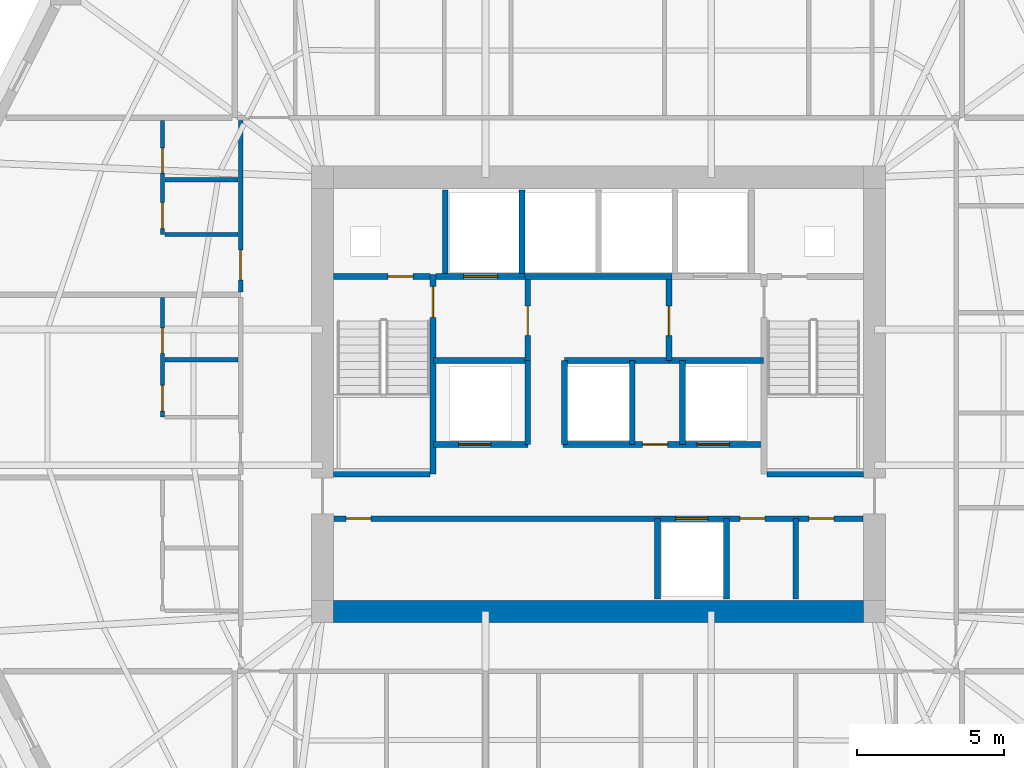
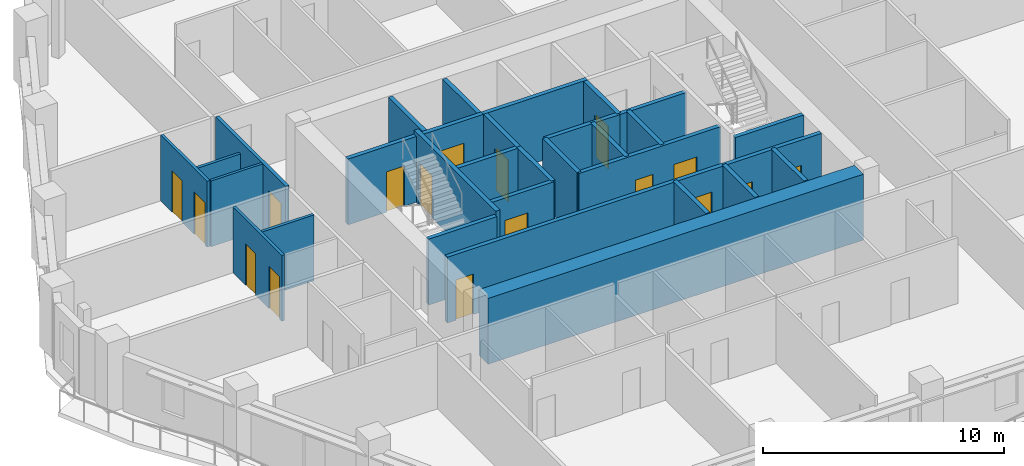
# One storey, part 5 of 12: 30 walls, 17 doors, 17 openings.
"""IFC4 building model written with IfcOpenShell, lengths in metres."""

from ifc_helpers import new_model, si_unit, direction, frame, frame_2d, origin, place, context, subcontext, project, spatial, rectangle, extrude, material, layer, layer_set, type_object, element, fill, save


model = new_model("IFC4")

# Units and contexts
model_context = context("Model", 3, precision=1e-05, world=origin(), true_north=direction((0.0, 1.0)))
body_context = subcontext(model_context, "Body", "Model", "MODEL_VIEW")
ifc_project = project(units=[si_unit("LENGTHUNIT", "METRE"), si_unit("AREAUNIT", "SQUARE_METRE"), si_unit("VOLUMEUNIT", "CUBIC_METRE"), si_unit("PLANEANGLEUNIT", "RADIAN"), si_unit("MASSUNIT", "GRAM", prefix="KILO")], contexts=[model_context])

# Site, building, storey
site_placement = place(None, origin())
site = spatial("IfcSite", under=ifc_project, at=site_placement, CompositionType="ELEMENT")
building_placement = place(site_placement, origin())
building = spatial("IfcBuilding", under=site, at=building_placement, Name="Cinnabar Lancet Tower", CompositionType="ELEMENT")
storey_placement = place(building_placement, frame((0.0, 0.0, 112.60009765625)))
storey = spatial("IfcBuildingStorey", under=building, at=storey_placement, Name="L29", CompositionType="ELEMENT", Elevation=112.60009765625)

# Wall, opening, door
ifc_material_1 = material(Name="Acoustic twin-stud gypsum partition", Category="gypsum")
ifc_layer_1 = layer(ifc_material_1, 0.159912109375)
ifc_layer_set_1 = layer_set([ifc_layer_1], Name="Acoustic twin-stud gypsum partition")
wall_type_1 = type_object("IfcWallType", Name="ARC-WL-CORR-160", PredefinedType="PARTITIONING", material=ifc_layer_set_1)
wall_1_placement = place(storey_placement, frame((20.25, 29.37890625, 0.0), z_axis=(0.0, 0.0, 1.0), x_axis=(0.0, 1.0, 0.0)))
wall_1 = element("IfcWall", 1, at=wall_1_placement, inside=storey, type_object=wall_type_1, Name="UW-L29-W03-COR", PredefinedType="PARTITIONING", context=body_context, shape_type="SweptSolid", body=[
    extrude(rectangle(XDim=5.826171875, YDim=0.159912109375, at=frame_2d((2.9130859375, 0.0))), origin(), (0.0, 0.0, 1.0), 3.33984375),
])
opening_1_placement = place(wall_1_placement, frame((0.39990234375, 0.0, 0.0)))
opening_1 = element("IfcOpeningElement", 2, at=opening_1_placement, cuts=wall_1, Name="Opening UD-01", PredefinedType="OPENING", context=body_context, shape_type="SweptSolid", body=[
    extrude(rectangle(XDim=1.02001953125, YDim=2.25, at=frame_2d((0.510009765625, 1.125))), frame((0.0, 0.08984375, 0.0), z_axis=(0.0, -1.0, 0.0), x_axis=(1.0, 0.0, 0.0)), (0.0, 0.0, 1.0), 0.179931640625),
])
ifc_material_2 = material(Name="Solid timber fire-rated apartment entrance door", Category="wood")
door_type_1 = type_object("IfcDoorType", Name="ARC-DR-UNIT", OperationType="NOTDEFINED", PredefinedType="DOOR", material=ifc_material_2)
door_1_placement = place(opening_1_placement, origin())
door_1 = element("IfcDoor", 3, at=door_1_placement, inside=storey, type_object=door_type_1, Name="DR-L29-W03-ENT", OperationType="SINGLE_SWING_RIGHT", OverallHeight=2.25, OverallWidth=1.02001953125, PredefinedType="DOOR", context=body_context, shape_type="SweptSolid", body=[
    extrude(rectangle(XDim=1.02001953125, YDim=2.25, at=frame_2d((0.510009765625, 1.125))), frame((0.0, 0.02490234375, 0.0), z_axis=(0.0, -1.0, 0.0), x_axis=(1.0, 0.0, 0.0)), (0.0, 0.0, 1.0), 0.050048828125),
])
fill(opening_1, door_1)

# Walls
ifc_material_3 = material(Name="Autoclaved aerated concrete blockwork", Category="masonry")
ifc_layer_2 = layer(ifc_material_3, 0.199951171875)
ifc_layer_set_2 = layer_set([ifc_layer_2], Name="Autoclaved aerated concrete blockwork")
wall_type_2 = type_object("IfcWallType", Name="ARC-WL-SHAFT-200", PredefinedType="PLUMBINGWALL", material=ifc_layer_set_2)
for number, where, z_axis, x_axis, name in (
    (4, (23.405029296875, 23.199951171875, 0.0), (0.0, 0.0, 1.0), (1.0, 0.0, 0.0), "CW-ST1S-L29"),
    (5, (38.125, 23.199951171875, 0.0), (0.0, 0.0, 1.0), (1.0, 0.0, 0.0), "CW-ST2S-L29"),
):
    element("IfcWall", number, at=place(storey_placement, frame(where, z_axis=z_axis, x_axis=x_axis)), inside=storey, type_object=wall_type_2, Name=name, PredefinedType="PLUMBINGWALL", context=body_context, shape_type="SweptSolid", body=[
        extrude(rectangle(XDim=3.27001953125, YDim=0.199951171875, at=frame_2d((1.635009765625, 0.0))), origin(), (0.0, 0.0, 1.0), 3.33984375),
    ])

# Wall, opening, door
wall_2_placement = place(storey_placement, frame((23.405029296875, 29.89990234375, 0.0), z_axis=(0.0, 0.0, 1.0), x_axis=(1.0, 0.0, 0.0)))
wall_2 = element("IfcWall", 6, at=wall_2_placement, inside=storey, type_object=wall_type_2, Name="CW-NSH-W-L29", PredefinedType="PLUMBINGWALL", context=body_context, shape_type="SweptSolid", body=[
    extrude(rectangle(XDim=3.27001953125, YDim=0.199951171875, at=frame_2d((1.635009765625, 0.0))), origin(), (0.0, 0.0, 1.0), 3.33984375),
])
opening_2_placement = place(wall_2_placement, frame((1.85009765625, 0.0, 0.0)))
opening_2 = element("IfcOpeningElement", 7, at=opening_2_placement, cuts=wall_2, Name="Opening PD-02", PredefinedType="OPENING", context=body_context, shape_type="SweptSolid", body=[
    extrude(rectangle(XDim=0.85009765625, YDim=2.050048828125, at=frame_2d((0.425048828125, 1.02490234375))), frame((0.0, 0.10986328125, 0.0), z_axis=(0.0, -1.0, 0.0), x_axis=(1.0, 0.0, 0.0)), (0.0, 0.0, 1.0), 0.219970703125),
])
ifc_material_4 = material(Name="Fire-rated steel riser access door", Category="steel")
door_type_2 = type_object("IfcDoorType", Name="ARC-DR-RISER", OperationType="NOTDEFINED", PredefinedType="DOOR", material=ifc_material_4)
door_2_placement = place(opening_2_placement, origin())
door_2 = element("IfcDoor", 8, at=door_2_placement, inside=storey, type_object=door_type_2, Name="L29 West Riser Access Door", OperationType="SINGLE_SWING_LEFT", OverallHeight=2.050048828125, OverallWidth=0.85009765625, PredefinedType="DOOR", context=body_context, shape_type="SweptSolid", body=[
    extrude(rectangle(XDim=0.85009765625, YDim=2.050048828125, at=frame_2d((0.425048828125, 1.02490234375))), frame((0.0, 0.02490234375, 0.0), z_axis=(0.0, -1.0, 0.0), x_axis=(1.0, 0.0, 0.0)), (0.0, 0.0, 1.0), 0.050048828125),
])
fill(opening_2, door_2)

wall_3_placement = place(storey_placement, frame((26.885009765625, 29.89990234375, 0.0), z_axis=(0.0, 0.0, 1.0), x_axis=(1.0, 0.0, 0.0)))
wall_3 = element("IfcWall", 9, at=wall_3_placement, inside=storey, type_object=wall_type_2, Name="CW-FL1-L29", PredefinedType="PLUMBINGWALL", context=body_context, shape_type="SweptSolid", body=[
    extrude(rectangle(XDim=3.014892578125, YDim=0.199951171875, at=frame_2d((1.50732421875, 0.0))), origin(), (0.0, 0.0, 1.0), 3.33984375),
])
opening_3_placement = place(wall_3_placement, frame((0.93994140625, 0.0, 0.0)))
opening_3 = element("IfcOpeningElement", 10, at=opening_3_placement, cuts=wall_3, Name="Opening LD-02", PredefinedType="OPENING", context=body_context, shape_type="SweptSolid", body=[
    extrude(rectangle(XDim=1.14990234375, YDim=2.199951171875, at=frame_2d((0.574951171875, 1.10009765625))), frame((0.0, 0.10986328125, 0.0), z_axis=(0.0, -1.0, 0.0), x_axis=(1.0, 0.0, 0.0)), (0.0, 0.0, 1.0), 0.219970703125),
])
ifc_material_5 = material(Name="Fire-rated stainless steel firefighting lift landing door", Category="steel")
door_type_3 = type_object("IfcDoorType", Name="ARC-DR-LD-FIRE", OperationType="NOTDEFINED", PredefinedType="DOOR", material=ifc_material_5)
door_3_placement = place(opening_3_placement, origin())
door_3 = element("IfcDoor", 11, at=door_3_placement, inside=storey, type_object=door_type_3, Name="L29 Firefighting Lift FL-1 Landing Door", OperationType="DOUBLE_DOOR_SLIDING", OverallHeight=2.199951171875, OverallWidth=1.14990234375, PredefinedType="DOOR", context=body_context, shape_type="SweptSolid", body=[
    extrude(rectangle(XDim=1.14990234375, YDim=2.199951171875, at=frame_2d((0.574951171875, 1.10009765625))), frame((0.0, 0.02490234375, 0.0), z_axis=(0.0, -1.0, 0.0), x_axis=(1.0, 0.0, 0.0)), (0.0, 0.0, 1.0), 0.050048828125),
])
fill(opening_3, door_3)

# Walls
wall_4_placement = place(storey_placement, frame((29.89990234375, 29.89990234375, 0.0), z_axis=(0.0, 0.0, 1.0), x_axis=(1.0, 0.0, 0.0)))
element("IfcWall", 12, at=wall_4_placement, inside=storey, type_object=wall_type_2, Name="CW-PL78-L29", PredefinedType="PLUMBINGWALL", context=body_context, shape_type="SweptSolid", body=[
    extrude(rectangle(XDim=5.0, YDim=0.199951171875, at=frame_2d((2.5, 0.0))), origin(), (0.0, 0.0, 1.0), 3.33984375),
])
for number, where, z_axis, x_axis, name in (
    (13, (27.199951171875, 30.0, 0.0), (0.0, 0.0, 1.0), (0.0, 1.0, 0.0), "CW-NSH-D1-L29"),
    (14, (29.800048828125, 30.0, 0.0), (0.0, 0.0, 1.0), (0.0, 1.0, 0.0), "CW-NSH-D2-L29"),
):
    element("IfcWall", number, at=place(storey_placement, frame(where, z_axis=z_axis, x_axis=x_axis)), inside=storey, type_object=wall_type_2, Name=name, PredefinedType="PLUMBINGWALL", context=body_context, shape_type="SweptSolid", body=[
        extrude(rectangle(XDim=2.85009765625, YDim=0.199951171875, at=frame_2d((1.425048828125, 0.0))), origin(), (0.0, 0.0, 1.0), 3.33984375),
    ])

# Wall, opening, door
wall_5_placement = place(storey_placement, frame((30.0, 27.050048828125, 0.0), z_axis=(0.0, 0.0, 1.0), x_axis=(0.0, 1.0, 0.0)))
wall_5 = element("IfcWall", 15, at=wall_5_placement, inside=storey, type_object=wall_type_2, Name="CW-FF1E-L29", PredefinedType="PLUMBINGWALL", context=body_context, shape_type="SweptSolid", body=[
    extrude(rectangle(XDim=2.75, YDim=0.199951171875, at=frame_2d((1.375, 0.0))), origin(), (0.0, 0.0, 1.0), 3.33984375),
])
opening_4_placement = place(wall_5_placement, frame((0.85009765625, 0.0, 0.0)))
opening_4 = element("IfcOpeningElement", 16, at=opening_4_placement, cuts=wall_5, Name="Opening FD-01", PredefinedType="OPENING", context=body_context, shape_type="SweptSolid", body=[
    extrude(rectangle(XDim=1.0, YDim=2.14990234375, at=frame_2d((0.5, 1.074951171875))), frame((0.0, 0.10986328125, 0.0), z_axis=(0.0, -1.0, 0.0), x_axis=(1.0, 0.0, 0.0)), (0.0, 0.0, 1.0), 0.219970703125),
])
ifc_material_6 = material(Name="Fire-rated timber-core lobby door", Category="wood")
door_type_4 = type_object("IfcDoorType", Name="ARC-DR-FFAL", OperationType="NOTDEFINED", PredefinedType="DOOR", material=ifc_material_6)
door_4_placement = place(opening_4_placement, origin())
door_4 = element("IfcDoor", 17, at=door_4_placement, inside=storey, type_object=door_type_4, Name="L29 FFAL-1 Lobby Fire Door", OperationType="SINGLE_SWING_RIGHT", OverallHeight=2.14990234375, OverallWidth=1.0, PredefinedType="DOOR", context=body_context, shape_type="SweptSolid", body=[
    extrude(rectangle(XDim=1.0, YDim=2.14990234375, at=frame_2d((0.5, 1.074951171875))), frame((0.0, 0.02490234375, 0.0), z_axis=(0.0, -1.0, 0.0), x_axis=(1.0, 0.0, 0.0)), (0.0, 0.0, 1.0), 0.050048828125),
])
fill(opening_4, door_4)

# Wall
wall_6_placement = place(storey_placement, frame((26.800048828125, 27.050048828125, 0.0), z_axis=(0.0, 0.0, 1.0), x_axis=(1.0, 0.0, 0.0)))
element("IfcWall", 18, at=wall_6_placement, inside=storey, type_object=wall_type_2, Name="CW-FF1S-L29", PredefinedType="PLUMBINGWALL", context=body_context, shape_type="SweptSolid", body=[
    extrude(rectangle(XDim=3.199951171875, YDim=0.199951171875, at=frame_2d((1.60009765625, 0.0))), origin(), (0.0, 0.0, 1.0), 3.33984375),
])

# Wall, opening, door
wall_7_placement = place(storey_placement, frame((34.800048828125, 27.050048828125, 0.0), z_axis=(0.0, 0.0, 1.0), x_axis=(0.0, 1.0, 0.0)))
wall_7 = element("IfcWall", 19, at=wall_7_placement, inside=storey, type_object=wall_type_2, Name="CW-FF2W-L29", PredefinedType="PLUMBINGWALL", context=body_context, shape_type="SweptSolid", body=[
    extrude(rectangle(XDim=2.75, YDim=0.199951171875, at=frame_2d((1.375, 0.0))), origin(), (0.0, 0.0, 1.0), 3.33984375),
])
opening_5_placement = place(wall_7_placement, frame((0.85009765625, 0.0, 0.0)))
opening_5 = element("IfcOpeningElement", 20, at=opening_5_placement, cuts=wall_7, Name="Opening FD-01", PredefinedType="OPENING", context=body_context, shape_type="SweptSolid", body=[
    extrude(rectangle(XDim=1.0, YDim=2.14990234375, at=frame_2d((0.5, 1.074951171875))), frame((0.0, 0.10986328125, 0.0), z_axis=(0.0, -1.0, 0.0), x_axis=(1.0, 0.0, 0.0)), (0.0, 0.0, 1.0), 0.219970703125),
])
door_5_placement = place(opening_5_placement, origin())
door_5 = element("IfcDoor", 21, at=door_5_placement, inside=storey, type_object=door_type_4, Name="L29 FFAL-2 Lobby Fire Door", OperationType="SINGLE_SWING_LEFT", OverallHeight=2.14990234375, OverallWidth=1.0, PredefinedType="DOOR", context=body_context, shape_type="SweptSolid", body=[
    extrude(rectangle(XDim=1.0, YDim=2.14990234375, at=frame_2d((0.5, 1.074951171875))), frame((0.0, 0.02490234375, 0.0), z_axis=(0.0, -1.0, 0.0), x_axis=(1.0, 0.0, 0.0)), (0.0, 0.0, 1.0), 0.050048828125),
])
fill(opening_5, door_5)

# Wall
wall_8_placement = place(storey_placement, frame((34.800048828125, 27.050048828125, 0.0), z_axis=(0.0, 0.0, 1.0), x_axis=(1.0, 0.0, 0.0)))
element("IfcWall", 22, at=wall_8_placement, inside=storey, type_object=wall_type_2, Name="CW-FF2S-L29", PredefinedType="PLUMBINGWALL", context=body_context, shape_type="SweptSolid", body=[
    extrude(rectangle(XDim=3.199951171875, YDim=0.199951171875, at=frame_2d((1.60009765625, 0.0))), origin(), (0.0, 0.0, 1.0), 3.33984375),
])

# Wall, opening, door
wall_9_placement = place(storey_placement, frame((26.800048828125, 24.199951171875, 0.0), z_axis=(0.0, 0.0, 1.0), x_axis=(1.0, 0.0, 0.0)))
wall_9 = element("IfcWall", 23, at=wall_9_placement, inside=storey, type_object=wall_type_2, Name="CW-PL5S-L29", PredefinedType="PLUMBINGWALL", context=body_context, shape_type="SweptSolid", body=[
    extrude(rectangle(XDim=3.199951171875, YDim=0.199951171875, at=frame_2d((1.60009765625, 0.0))), origin(), (0.0, 0.0, 1.0), 3.33984375),
])
opening_6_placement = place(wall_9_placement, frame((0.85009765625, 0.0, 0.0)))
opening_6 = element("IfcOpeningElement", 24, at=opening_6_placement, cuts=wall_9, Name="Opening LD-01", PredefinedType="OPENING", context=body_context, shape_type="SweptSolid", body=[
    extrude(rectangle(XDim=1.10009765625, YDim=2.199951171875, at=frame_2d((0.550048828125, 1.10009765625))), frame((0.0, 0.10986328125, 0.0), z_axis=(0.0, -1.0, 0.0), x_axis=(1.0, 0.0, 0.0)), (0.0, 0.0, 1.0), 0.219970703125),
])
ifc_material_7 = material(Name="Brushed stainless steel sliding lift door", Category="steel")
door_type_5 = type_object("IfcDoorType", Name="ARC-DR-LD-PASS", OperationType="NOTDEFINED", PredefinedType="DOOR", material=ifc_material_7)
door_6_placement = place(opening_6_placement, origin())
door_6 = element("IfcDoor", 25, at=door_6_placement, inside=storey, type_object=door_type_5, Name="L29 Lift PL-5 Landing Door", OperationType="DOUBLE_DOOR_SLIDING", OverallHeight=2.199951171875, OverallWidth=1.10009765625, PredefinedType="DOOR", context=body_context, shape_type="SweptSolid", body=[
    extrude(rectangle(XDim=1.10009765625, YDim=2.199951171875, at=frame_2d((0.550048828125, 1.10009765625))), frame((0.0, 0.02490234375, 0.0), z_axis=(0.0, -1.0, 0.0), x_axis=(1.0, 0.0, 0.0)), (0.0, 0.0, 1.0), 0.050048828125),
])
fill(opening_6, door_6)

# Wall
wall_10_placement = place(storey_placement, frame((30.0, 24.199951171875, 0.0), z_axis=(0.0, 0.0, 1.0), x_axis=(0.0, 1.0, 0.0)))
element("IfcWall", 26, at=wall_10_placement, inside=storey, type_object=wall_type_2, Name="CW-PL5E-L29", PredefinedType="PLUMBINGWALL", context=body_context, shape_type="SweptSolid", body=[
    extrude(rectangle(XDim=2.85009765625, YDim=0.199951171875, at=frame_2d((1.425048828125, 0.0))), origin(), (0.0, 0.0, 1.0), 3.33984375),
])

# Wall, openings, doors
wall_11_placement = place(storey_placement, frame((31.199951171875, 24.199951171875, 0.0), z_axis=(0.0, 0.0, 1.0), x_axis=(1.0, 0.0, 0.0)))
wall_11 = element("IfcWall", 27, at=wall_11_placement, inside=storey, type_object=wall_type_2, Name="CW-PL96S-L29", PredefinedType="PLUMBINGWALL", context=body_context, shape_type="SweptSolid", body=[
    extrude(rectangle(XDim=6.800048828125, YDim=0.199951171875, at=frame_2d((3.39990234375, 0.0))), origin(), (0.0, 0.0, 1.0), 3.33984375),
])
opening_7_placement = place(wall_11_placement, frame((2.699951171875, 0.0, 0.0)))
opening_7 = element("IfcOpeningElement", 28, at=opening_7_placement, cuts=wall_11, Name="Opening PD-02", PredefinedType="OPENING", context=body_context, shape_type="SweptSolid", body=[
    extrude(rectangle(XDim=0.85009765625, YDim=2.050048828125, at=frame_2d((0.425048828125, 1.02490234375))), frame((0.0, 0.10986328125, 0.0), z_axis=(0.0, -1.0, 0.0), x_axis=(1.0, 0.0, 0.0)), (0.0, 0.0, 1.0), 0.219970703125),
])
opening_8_placement = place(wall_11_placement, frame((4.550048828125, 0.0, 0.0)))
opening_8 = element("IfcOpeningElement", 29, at=opening_8_placement, cuts=wall_11, Name="Opening LD-01", PredefinedType="OPENING", context=body_context, shape_type="SweptSolid", body=[
    extrude(rectangle(XDim=1.10009765625, YDim=2.199951171875, at=frame_2d((0.550048828125, 1.10009765625))), frame((0.0, 0.10986328125, 0.0), z_axis=(0.0, -1.0, 0.0), x_axis=(1.0, 0.0, 0.0)), (0.0, 0.0, 1.0), 0.219970703125),
])
door_7_placement = place(opening_8_placement, origin())
door_7 = element("IfcDoor", 30, at=door_7_placement, inside=storey, type_object=door_type_5, Name="L29 Lift PL-6 Landing Door", OperationType="DOUBLE_DOOR_SLIDING", OverallHeight=2.199951171875, OverallWidth=1.10009765625, PredefinedType="DOOR", context=body_context, shape_type="SweptSolid", body=[
    extrude(rectangle(XDim=1.10009765625, YDim=2.199951171875, at=frame_2d((0.550048828125, 1.10009765625))), frame((0.0, 0.02490234375, 0.0), z_axis=(0.0, -1.0, 0.0), x_axis=(1.0, 0.0, 0.0)), (0.0, 0.0, 1.0), 0.050048828125),
])
fill(opening_8, door_7)
door_8_placement = place(opening_7_placement, origin())
door_8 = element("IfcDoor", 31, at=door_8_placement, inside=storey, type_object=door_type_2, Name="L29 BMS Closet Door", OperationType="SINGLE_SWING_LEFT", OverallHeight=2.050048828125, OverallWidth=0.85009765625, PredefinedType="DOOR", context=body_context, shape_type="SweptSolid", body=[
    extrude(rectangle(XDim=0.85009765625, YDim=2.050048828125, at=frame_2d((0.425048828125, 1.02490234375))), frame((0.0, 0.02490234375, 0.0), z_axis=(0.0, -1.0, 0.0), x_axis=(1.0, 0.0, 0.0)), (0.0, 0.0, 1.0), 0.050048828125),
])
fill(opening_7, door_8)

# Walls
for number, where, z_axis, x_axis, name in (
    (32, (31.25, 24.199951171875, 0.0), (0.0, 0.0, 1.0), (0.0, 1.0, 0.0), "CW-PL9W-L29"),
    (33, (33.550048828125, 24.199951171875, 0.0), (0.0, 0.0, 1.0), (0.0, 1.0, 0.0), "CW-PL9E-L29"),
    (34, (35.25, 24.199951171875, 0.0), (0.0, 0.0, 1.0), (0.0, 1.0, 0.0), "CW-PL6W-L29"),
):
    element("IfcWall", number, at=place(storey_placement, frame(where, z_axis=z_axis, x_axis=x_axis)), inside=storey, type_object=wall_type_2, Name=name, PredefinedType="PLUMBINGWALL", context=body_context, shape_type="SweptSolid", body=[
        extrude(rectangle(XDim=2.85009765625, YDim=0.199951171875, at=frame_2d((1.425048828125, 0.0))), origin(), (0.0, 0.0, 1.0), 3.33984375),
    ])
wall_12_placement = place(storey_placement, frame((31.25, 27.050048828125, 0.0), z_axis=(0.0, 0.0, 1.0), x_axis=(1.0, 0.0, 0.0)))
element("IfcWall", 35, at=wall_12_placement, inside=storey, type_object=wall_type_2, Name="CW-PL96N-L29", PredefinedType="PLUMBINGWALL", context=body_context, shape_type="SweptSolid", body=[
    extrude(rectangle(XDim=3.550048828125, YDim=0.199951171875, at=frame_2d((1.77490234375, 0.0))), origin(), (0.0, 0.0, 1.0), 3.33984375),
])

# Wall, openings, doors
wall_13_placement = place(storey_placement, frame((23.419921875, 21.679931640625, 0.0), z_axis=(0.0, 0.0, 1.0), x_axis=(1.0, 0.0, 0.0)))
wall_13 = element("IfcWall", 36, at=wall_13_placement, inside=storey, type_object=wall_type_2, Name="CW-SBANDN-L29", PredefinedType="PLUMBINGWALL", context=body_context, shape_type="SweptSolid", body=[
    extrude(rectangle(XDim=17.9599609375, YDim=0.199951171875, at=frame_2d((8.97998046875, 0.0))), origin(), (0.0, 0.0, 1.0), 3.33984375),
])
opening_9_placement = place(wall_13_placement, frame((11.60009765625, 0.0, 0.0)))
opening_9 = element("IfcOpeningElement", 37, at=opening_9_placement, cuts=wall_13, Name="Opening LD-01", PredefinedType="OPENING", context=body_context, shape_type="SweptSolid", body=[
    extrude(rectangle(XDim=1.10009765625, YDim=2.199951171875, at=frame_2d((0.550048828125, 1.10009765625))), frame((0.0, 0.10986328125, 0.0), z_axis=(0.0, -1.0, 0.0), x_axis=(1.0, 0.0, 0.0)), (0.0, 0.0, 1.0), 0.219970703125),
])
opening_10_placement = place(wall_13_placement, frame((0.409912109375, 0.0, 0.0)))
opening_10 = element("IfcOpeningElement", 38, at=opening_10_placement, cuts=wall_13, Name="Opening PD-02", PredefinedType="OPENING", context=body_context, shape_type="SweptSolid", body=[
    extrude(rectangle(XDim=0.85009765625, YDim=2.050048828125, at=frame_2d((0.425048828125, 1.02490234375))), frame((0.0, 0.10986328125, 0.0), z_axis=(0.0, -1.0, 0.0), x_axis=(1.0, 0.0, 0.0)), (0.0, 0.0, 1.0), 0.219970703125),
])
opening_11_placement = place(wall_13_placement, frame((13.780029296875, 0.0, 0.0)))
opening_11 = element("IfcOpeningElement", 39, at=opening_11_placement, cuts=wall_13, Name="Opening PD-02", PredefinedType="OPENING", context=body_context, shape_type="SweptSolid", body=[
    extrude(rectangle(XDim=0.85009765625, YDim=2.050048828125, at=frame_2d((0.425048828125, 1.02490234375))), frame((0.0, 0.10986328125, 0.0), z_axis=(0.0, -1.0, 0.0), x_axis=(1.0, 0.0, 0.0)), (0.0, 0.0, 1.0), 0.219970703125),
])
opening_12_placement = place(wall_13_placement, frame((16.1298828125, 0.0, 0.0)))
opening_12 = element("IfcOpeningElement", 40, at=opening_12_placement, cuts=wall_13, Name="Opening PD-02", PredefinedType="OPENING", context=body_context, shape_type="SweptSolid", body=[
    extrude(rectangle(XDim=0.85009765625, YDim=2.050048828125, at=frame_2d((0.425048828125, 1.02490234375))), frame((0.0, 0.10986328125, 0.0), z_axis=(0.0, -1.0, 0.0), x_axis=(1.0, 0.0, 0.0)), (0.0, 0.0, 1.0), 0.219970703125),
])
door_9_placement = place(opening_9_placement, origin())
door_9 = element("IfcDoor", 41, at=door_9_placement, inside=storey, type_object=door_type_5, Name="L29 Lift PL-4 Landing Door", OperationType="DOUBLE_DOOR_SLIDING", OverallHeight=2.199951171875, OverallWidth=1.10009765625, PredefinedType="DOOR", context=body_context, shape_type="SweptSolid", body=[
    extrude(rectangle(XDim=1.10009765625, YDim=2.199951171875, at=frame_2d((0.550048828125, 1.10009765625))), frame((0.0, 0.02490234375, 0.0), z_axis=(0.0, -1.0, 0.0), x_axis=(1.0, 0.0, 0.0)), (0.0, 0.0, 1.0), 0.050048828125),
])
fill(opening_9, door_9)
door_10_placement = place(opening_10_placement, origin())
door_10 = element("IfcDoor", 42, at=door_10_placement, inside=storey, type_object=door_type_2, Name="DR-L29-MREC1", OperationType="SINGLE_SWING_LEFT", OverallHeight=2.050048828125, OverallWidth=0.85009765625, PredefinedType="DOOR", context=body_context, shape_type="SweptSolid", body=[
    extrude(rectangle(XDim=0.85009765625, YDim=2.050048828125, at=frame_2d((0.425048828125, 1.02490234375))), frame((0.0, 0.02490234375, 0.0), z_axis=(0.0, -1.0, 0.0), x_axis=(1.0, 0.0, 0.0)), (0.0, 0.0, 1.0), 0.050048828125),
])
fill(opening_10, door_10)
door_11_placement = place(opening_11_placement, origin())
door_11 = element("IfcDoor", 43, at=door_11_placement, inside=storey, type_object=door_type_2, Name="DR-L29-MREC2", OperationType="SINGLE_SWING_RIGHT", OverallHeight=2.050048828125, OverallWidth=0.85009765625, PredefinedType="DOOR", context=body_context, shape_type="SweptSolid", body=[
    extrude(rectangle(XDim=0.85009765625, YDim=2.050048828125, at=frame_2d((0.425048828125, 1.02490234375))), frame((0.0, 0.02490234375, 0.0), z_axis=(0.0, -1.0, 0.0), x_axis=(1.0, 0.0, 0.0)), (0.0, 0.0, 1.0), 0.050048828125),
])
fill(opening_11, door_11)
door_12_placement = place(opening_12_placement, origin())
door_12 = element("IfcDoor", 44, at=door_12_placement, inside=storey, type_object=door_type_2, Name="DR-L29-MREC3", OperationType="SINGLE_SWING_LEFT", OverallHeight=2.050048828125, OverallWidth=0.85009765625, PredefinedType="DOOR", context=body_context, shape_type="SweptSolid", body=[
    extrude(rectangle(XDim=0.85009765625, YDim=2.050048828125, at=frame_2d((0.425048828125, 1.02490234375))), frame((0.0, 0.02490234375, 0.0), z_axis=(0.0, -1.0, 0.0), x_axis=(1.0, 0.0, 0.0)), (0.0, 0.0, 1.0), 0.050048828125),
])
fill(opening_12, door_12)

# Walls
for number, where, z_axis, x_axis, name in (
    (45, (34.39990234375, 18.949951171875, 0.0), (0.0, 0.0, 1.0), (0.0, 1.0, 0.0), "CW-SB-3440-L29"),
    (46, (36.75, 18.949951171875, 0.0), (0.0, 0.0, 1.0), (0.0, 1.0, 0.0), "CW-SB-3675-L29"),
    (47, (39.10009765625, 18.949951171875, 0.0), (0.0, 0.0, 1.0), (0.0, 1.0, 0.0), "CW-SB-3910-L29"),
):
    element("IfcWall", number, at=place(storey_placement, frame(where, z_axis=z_axis, x_axis=x_axis)), inside=storey, type_object=wall_type_2, Name=name, PredefinedType="PLUMBINGWALL", context=body_context, shape_type="SweptSolid", body=[
        extrude(rectangle(XDim=2.72998046875, YDim=0.199951171875, at=frame_2d((1.364990234375, 0.0))), origin(), (0.0, 0.0, 1.0), 3.33984375),
    ])
ifc_material_8 = material(Name="Gypsum plasterboard stud partition", Category="gypsum")
ifc_layer_3 = layer(ifc_material_8, 0.125)
ifc_layer_set_3 = layer_set([ifc_layer_3], Name="Gypsum plasterboard stud partition")
wall_type_3 = type_object("IfcWallType", Name="ARC-WL-UNIT-125", PredefinedType="PARTITIONING", material=ifc_layer_set_3)
wall_14_placement = place(storey_placement, frame((17.68505859375, 31.333984375, 0.0), z_axis=(0.0, 0.0, 1.0), x_axis=(1.0, 0.0, 0.0)))
element("IfcWall", 48, at=wall_14_placement, inside=storey, type_object=wall_type_3, Name="UW-L29-W03-FOYN", PredefinedType="PARTITIONING", context=body_context, shape_type="SweptSolid", body=[
    extrude(rectangle(XDim=2.47998046875, YDim=0.125, at=frame_2d((1.239990234375, 0.0))), origin(), (0.0, 0.0, 1.0), 3.33984375),
])

# Wall, openings, doors
ifc_material_9 = material(Name="Moisture-resistant cement-board plumbing wall", Category="masonry")
ifc_layer_4 = layer(ifc_material_9, 0.139892578125)
ifc_layer_set_4 = layer_set([ifc_layer_4], Name="Moisture-resistant cement-board plumbing wall")
wall_type_4 = type_object("IfcWallType", Name="ARC-WL-WET-140", PredefinedType="PLUMBINGWALL", material=ifc_layer_set_4)
wall_15_placement = place(storey_placement, frame((17.60009765625, 25.1298828125, 0.0), z_axis=(0.0, 0.0, 1.0), x_axis=(0.0, 1.0, 0.0)))
wall_15 = element("IfcWall", 49, at=wall_15_placement, inside=storey, type_object=wall_type_4, Name="UW-L29-W02-SPL", PredefinedType="PLUMBINGWALL", context=body_context, shape_type="SweptSolid", body=[
    extrude(rectangle(XDim=4.05908203125, YDim=0.139892578125, at=frame_2d((2.029541015625, 0.0))), origin(), (0.0, 0.0, 1.0), 3.33984375),
])
opening_13_placement = place(wall_15_placement, frame((2.16796875, 0.0, 0.0)))
opening_13 = element("IfcOpeningElement", 50, at=opening_13_placement, cuts=wall_15, Name="Opening BD-01", PredefinedType="OPENING", context=body_context, shape_type="SweptSolid", body=[
    extrude(rectangle(XDim=0.860107421875, YDim=2.10009765625, at=frame_2d((0.43017578125, 1.050048828125))), frame((0.0, 0.079833984375, 0.0), z_axis=(0.0, -1.0, 0.0), x_axis=(1.0, 0.0, 0.0)), (0.0, 0.0, 1.0), 0.159912109375),
])
opening_14_placement = place(wall_15_placement, frame((0.199951171875, 0.0, 0.0)))
opening_14 = element("IfcOpeningElement", 51, at=opening_14_placement, cuts=wall_15, Name="Opening RD-02", PredefinedType="OPENING", context=body_context, shape_type="SweptSolid", body=[
    extrude(rectangle(XDim=0.8798828125, YDim=2.14990234375, at=frame_2d((0.43994140625, 1.074951171875))), frame((0.0, 0.079833984375, 0.0), z_axis=(0.0, -1.0, 0.0), x_axis=(1.0, 0.0, 0.0)), (0.0, 0.0, 1.0), 0.159912109375),
])
ifc_material_10 = material(Name="Moisture-resistant timber bathroom door", Category="wood")
door_type_6 = type_object("IfcDoorType", Name="ARC-DR-BATH", OperationType="NOTDEFINED", PredefinedType="DOOR", material=ifc_material_10)
door_13_placement = place(opening_13_placement, origin())
door_13 = element("IfcDoor", 52, at=door_13_placement, inside=storey, type_object=door_type_6, Name="DR-L29-W02-BTH", OperationType="SINGLE_SWING_LEFT", OverallHeight=2.10009765625, OverallWidth=0.860107421875, PredefinedType="DOOR", context=body_context, shape_type="SweptSolid", body=[
    extrude(rectangle(XDim=0.860107421875, YDim=2.10009765625, at=frame_2d((0.43017578125, 1.050048828125))), frame((0.0, 0.02490234375, 0.0), z_axis=(0.0, -1.0, 0.0), x_axis=(1.0, 0.0, 0.0)), (0.0, 0.0, 1.0), 0.050048828125),
])
fill(opening_13, door_13)
ifc_material_11 = material(Name="Engineered timber study door", Category="wood")
door_type_7 = type_object("IfcDoorType", Name="ARC-DR-STUDY", OperationType="NOTDEFINED", PredefinedType="DOOR", material=ifc_material_11)
door_14_placement = place(opening_14_placement, origin())
door_14 = element("IfcDoor", 53, at=door_14_placement, inside=storey, type_object=door_type_7, Name="DR-L29-W02-KIT", OperationType="SINGLE_SWING_RIGHT", OverallHeight=2.14990234375, OverallWidth=0.8798828125, PredefinedType="DOOR", context=body_context, shape_type="SweptSolid", body=[
    extrude(rectangle(XDim=0.8798828125, YDim=2.14990234375, at=frame_2d((0.43994140625, 1.074951171875))), frame((0.0, 0.02490234375, 0.0), z_axis=(0.0, -1.0, 0.0), x_axis=(1.0, 0.0, 0.0)), (0.0, 0.0, 1.0), 0.050048828125),
])
fill(opening_14, door_14)

# Wall
wall_16_placement = place(storey_placement, frame((17.68505859375, 27.077880859375, 0.0), z_axis=(0.0, 0.0, 1.0), x_axis=(1.0, 0.0, 0.0)))
element("IfcWall", 54, at=wall_16_placement, inside=storey, type_object=wall_type_4, Name="UW-L29-W02-KDV", PredefinedType="PLUMBINGWALL", context=body_context, shape_type="SweptSolid", body=[
    extrude(rectangle(XDim=2.47998046875, YDim=0.139892578125, at=frame_2d((1.239990234375, 0.0))), origin(), (0.0, 0.0, 1.0), 3.33984375),
])

# Wall, openings, doors
wall_17_placement = place(storey_placement, frame((17.60009765625, 31.333984375, 0.0), z_axis=(0.0, 0.0, 1.0), x_axis=(0.0, 1.0, 0.0)))
wall_17 = element("IfcWall", 55, at=wall_17_placement, inside=storey, type_object=wall_type_4, Name="UW-L29-W03-SPL", PredefinedType="PLUMBINGWALL", context=body_context, shape_type="SweptSolid", body=[
    extrude(rectangle(XDim=3.87109375, YDim=0.139892578125, at=frame_2d((1.935546875, 0.0))), origin(), (0.0, 0.0, 1.0), 3.33984375),
])
opening_15_placement = place(wall_17_placement, frame((2.077880859375, 0.0, 0.0)))
opening_15 = element("IfcOpeningElement", 56, at=opening_15_placement, cuts=wall_17, Name="Opening BD-01", PredefinedType="OPENING", context=body_context, shape_type="SweptSolid", body=[
    extrude(rectangle(XDim=0.860107421875, YDim=2.10009765625, at=frame_2d((0.43017578125, 1.050048828125))), frame((0.0, 0.079833984375, 0.0), z_axis=(0.0, -1.0, 0.0), x_axis=(1.0, 0.0, 0.0)), (0.0, 0.0, 1.0), 0.159912109375),
])
opening_16_placement = place(wall_17_placement, frame((0.199951171875, 0.0, 0.0)))
opening_16 = element("IfcOpeningElement", 57, at=opening_16_placement, cuts=wall_17, Name="Opening RD-02", PredefinedType="OPENING", context=body_context, shape_type="SweptSolid", body=[
    extrude(rectangle(XDim=0.8798828125, YDim=2.14990234375, at=frame_2d((0.43994140625, 1.074951171875))), frame((0.0, 0.079833984375, 0.0), z_axis=(0.0, -1.0, 0.0), x_axis=(1.0, 0.0, 0.0)), (0.0, 0.0, 1.0), 0.159912109375),
])
door_15_placement = place(opening_15_placement, origin())
door_15 = element("IfcDoor", 58, at=door_15_placement, inside=storey, type_object=door_type_6, Name="DR-L29-W03-BTH", OperationType="SINGLE_SWING_RIGHT", OverallHeight=2.10009765625, OverallWidth=0.860107421875, PredefinedType="DOOR", context=body_context, shape_type="SweptSolid", body=[
    extrude(rectangle(XDim=0.860107421875, YDim=2.10009765625, at=frame_2d((0.43017578125, 1.050048828125))), frame((0.0, 0.02490234375, 0.0), z_axis=(0.0, -1.0, 0.0), x_axis=(1.0, 0.0, 0.0)), (0.0, 0.0, 1.0), 0.050048828125),
])
fill(opening_15, door_15)
door_16_placement = place(opening_16_placement, origin())
door_16 = element("IfcDoor", 59, at=door_16_placement, inside=storey, type_object=door_type_7, Name="DR-L29-W03-KIT", OperationType="SINGLE_SWING_LEFT", OverallHeight=2.14990234375, OverallWidth=0.8798828125, PredefinedType="DOOR", context=body_context, shape_type="SweptSolid", body=[
    extrude(rectangle(XDim=0.8798828125, YDim=2.14990234375, at=frame_2d((0.43994140625, 1.074951171875))), frame((0.0, 0.02490234375, 0.0), z_axis=(0.0, -1.0, 0.0), x_axis=(1.0, 0.0, 0.0)), (0.0, 0.0, 1.0), 0.050048828125),
])
fill(opening_16, door_16)

# Walls
wall_18_placement = place(storey_placement, frame((17.68505859375, 33.19189453125, 0.0), z_axis=(0.0, 0.0, 1.0), x_axis=(1.0, 0.0, 0.0)))
element("IfcWall", 60, at=wall_18_placement, inside=storey, type_object=wall_type_4, Name="UW-L29-W03-KDV", PredefinedType="PLUMBINGWALL", context=body_context, shape_type="SweptSolid", body=[
    extrude(rectangle(XDim=2.47998046875, YDim=0.139892578125, at=frame_2d((1.239990234375, 0.0))), origin(), (0.0, 0.0, 1.0), 2.721923828125),
])
ifc_material_12 = material(Name="Concrete C70/85", Category="concrete")
ifc_layer_5 = layer(ifc_material_12, 0.75)
ifc_layer_set_5 = layer_set([ifc_layer_5], Name="Concrete C70/85")
wall_type_5 = type_object("IfcWallType", Name="STR-WL-CORE-750", PredefinedType="SHEAR", material=ifc_layer_set_5)
wall_19_placement = place(storey_placement, frame((23.39990234375, 18.52490234375, 0.0), z_axis=(0.0, 0.0, 1.0), x_axis=(1.0, 0.0, 0.0)))
element("IfcWall", 61, at=wall_19_placement, inside=storey, type_object=wall_type_5, Name="L29 Core Shear Wall S", PredefinedType="SHEAR", context=body_context, shape_type="SweptSolid", body=[
    extrude(rectangle(XDim=18.0, YDim=0.75, at=frame_2d((9.0, 0.0))), origin(), (0.0, 0.0, 1.0), 3.33984375),
])

# Wall, opening, door
ifc_material_13 = material(Name="Concrete C50/60", Category="concrete")
ifc_layer_6 = layer(ifc_material_13, 0.199951171875)
ifc_layer_set_6 = layer_set([ifc_layer_6], Name="Concrete C50/60")
wall_type_6 = type_object("IfcWallType", Name="STR-WL-STAIR-200", PredefinedType="SHEAR", material=ifc_layer_set_6)
wall_20_placement = place(storey_placement, frame((26.780029296875, 23.199951171875, 0.0), z_axis=(0.0, 0.0, 1.0), x_axis=(0.0, 1.0, 0.0)))
wall_20 = element("IfcWall", 62, at=wall_20_placement, inside=storey, type_object=wall_type_6, Name="L29 Stair ST-1 Structural Enclosure Wall", PredefinedType="SHEAR", context=body_context, shape_type="SweptSolid", body=[
    extrude(rectangle(XDim=6.780029296875, YDim=0.199951171875, at=frame_2d((3.39013671875, 0.0))), origin(), (0.0, 0.0, 1.0), 3.5498046875),
])
opening_17_placement = place(wall_20_placement, frame((5.320068359375, 0.0, 0.0)))
opening_17 = element("IfcOpeningElement", 63, at=opening_17_placement, cuts=wall_20, Name="Opening SD-01", PredefinedType="OPENING", context=body_context, shape_type="SweptSolid", body=[
    extrude(rectangle(XDim=1.050048828125, YDim=2.14990234375, at=frame_2d((0.52490234375, 1.074951171875))), frame((0.0, 0.10986328125, 0.0), z_axis=(0.0, -1.0, 0.0), x_axis=(1.0, 0.0, 0.0)), (0.0, 0.0, 1.0), 0.219970703125),
])
ifc_material_14 = material(Name="Fire-rated steel stair exit door", Category="steel")
door_type_8 = type_object("IfcDoorType", Name="ARC-DR-STAIR", OperationType="NOTDEFINED", PredefinedType="DOOR", material=ifc_material_14)
door_17_placement = place(opening_17_placement, origin())
door_17 = element("IfcDoor", 64, at=door_17_placement, inside=storey, type_object=door_type_8, Name="L29 Stair ST-1 Fire Door", OperationType="SINGLE_SWING_LEFT", OverallHeight=2.14990234375, OverallWidth=1.050048828125, PredefinedType="DOOR", context=body_context, shape_type="SweptSolid", body=[
    extrude(rectangle(XDim=1.050048828125, YDim=2.14990234375, at=frame_2d((0.52490234375, 1.074951171875))), frame((0.0, 0.02490234375, 0.0), z_axis=(0.0, -1.0, 0.0), x_axis=(1.0, 0.0, 0.0)), (0.0, 0.0, 1.0), 0.050048828125),
])
fill(opening_17, door_17)

save(model, "model.ifc")
